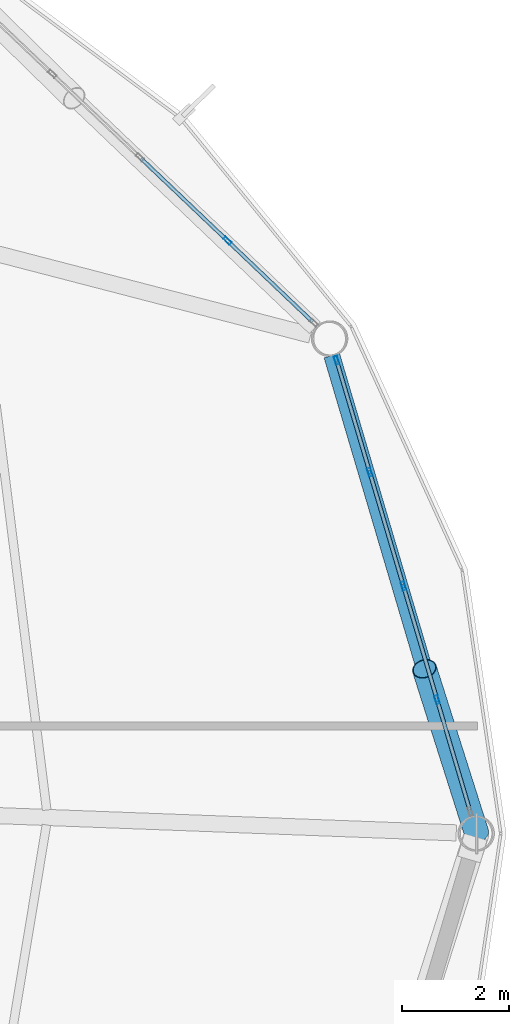
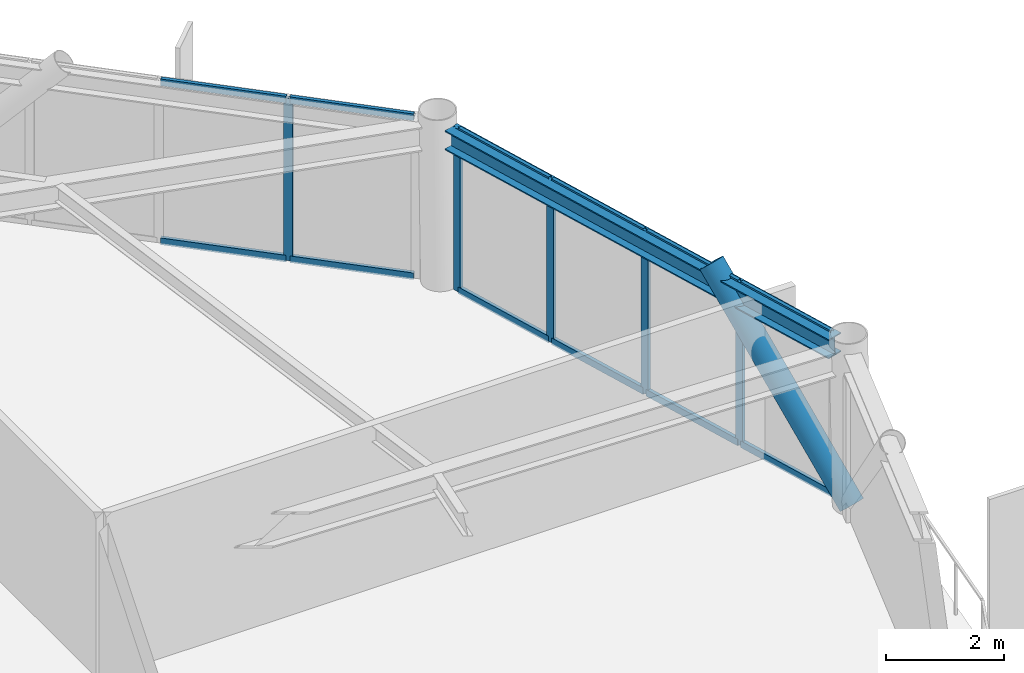
# One storey, part 16 of 28: 18 members, 1 beam, 2 elements without a shape of their own.
"""IFC4 building model written with IfcOpenShell, lengths in metres."""

from ifc_helpers import new_model, si_unit, direction, frame, origin, origin_2d, place, context, subcontext, project, spatial, hollow_rectangle, hollow_circle, i_section, extrude, material, layer, layer_set, material_profile, profile_set, type_object, element, aggregate, save


model = new_model("IFC4")

# Units and contexts
model_context = context("Model", 3, precision=1e-05, world=origin(), true_north=direction((0.0, 1.0)))
body_context = subcontext(model_context, "Body", "Model", "MODEL_VIEW")
ifc_project = project(units=[si_unit("LENGTHUNIT", "METRE"), si_unit("AREAUNIT", "SQUARE_METRE"), si_unit("VOLUMEUNIT", "CUBIC_METRE"), si_unit("PLANEANGLEUNIT", "RADIAN"), si_unit("MASSUNIT", "GRAM", prefix="KILO")], contexts=[model_context])

# Site, building, storey
site_placement = place(None, origin())
site = spatial("IfcSite", under=ifc_project, at=site_placement, CompositionType="ELEMENT")
building_placement = place(site_placement, origin())
building = spatial("IfcBuilding", under=site, at=building_placement, Name="Varnakorn Sky Granary", CompositionType="ELEMENT")
storey_placement = place(building_placement, frame((0.0, 0.0, 193.199951171875)))
storey = spatial("IfcBuildingStorey", under=building, at=storey_placement, Name="L48", CompositionType="ELEMENT", Elevation=193.199951171875)

# Beam
ifc_material_1 = material(Name="Steel S355JR", Category="steel")
ifc_material_profile_1 = material_profile(ifc_material_1, i_section(OverallWidth=0.300048828125, OverallDepth=0.39990234375, WebThickness=0.013427734375, FlangeThickness=0.02392578125, at=origin_2d()), Name="HE 400 B")
ifc_profile_set_1 = profile_set([ifc_material_profile_1], Name="Steel S355JR")
beam_type = type_object("IfcBeamType", Name="BM-SPD-Z4", PredefinedType="SPANDREL", material=ifc_profile_set_1)
beam_placement = place(storey_placement, frame((24.20458984375, 0.302001953125, 3.16015625), z_axis=(-0.283527622296, 0.958964069919, 0.0), x_axis=(-0.958964069919, -0.283527622296, 0.0)))
element("IfcBeam", 1, at=beam_placement, inside=storey, type_object=beam_type, Name="Perimeter Spandrel Ring Beam RB01 L48", PredefinedType="SPANDREL", context=body_context, shape_type="SweptSolid", body=[
    extrude(i_section(OverallWidth=0.300048828125, OverallDepth=0.39990234375, WebThickness=0.013427734375, FlangeThickness=0.02392578125, at=origin_2d()), origin(), (0.0, 0.0, 1.0), 8.969970703125),
])

# Curtain wall, members
ifc_material_2 = material(Name="Anodised Bronze Aluminium Alloy 6063-T6", Category="aluminium")
ifc_layer = layer(ifc_material_2, 0.169921875, Name="Anodised Bronze Aluminium Alloy 6063-T6")
ifc_layer_set = layer_set([ifc_layer], Name="Anodised Bronze Aluminium Alloy 6063-T6")
curtain_wall_type = type_object("IfcCurtainWallType", Name="CW-LAB-1", PredefinedType="USERDEFINED", material=ifc_layer_set)
curtain_wall_1_placement = place(storey_placement, origin())
curtain_wall_1 = element("IfcCurtainWall", 2, at=curtain_wall_1_placement, inside=storey, type_object=curtain_wall_type, Name="Unitised Curtain Wall CW5 CW-L48-B01", ObjectType="CURTAIN WALL", PredefinedType="USERDEFINED")
ifc_material_profile_2 = material_profile(ifc_material_2, hollow_rectangle(XDim=0.06494140625, YDim=0.159912109375, WallThickness=0.00341796875, at=origin_2d()), Name="ALU MULL 65x160")
ifc_profile_set_2 = profile_set([ifc_material_profile_2], Name="Anodised Bronze Aluminium Alloy 6063-T6")
member_type_1 = type_object("IfcMemberType", Name="CW-LAB-1-MULL", PredefinedType="MULLION", material=ifc_profile_set_2)
member_1_placement = place(storey_placement, frame((21.75, 8.81787109375, 0.0), z_axis=(0.0, 0.0, 1.0), x_axis=(0.958847747694, 0.283920757858, 0.0)))
member_1 = element("IfcMember", 3, at=member_1_placement, type_object=member_type_1, Name="CW5 mullion 1", PredefinedType="MULLION", context=body_context, shape_type="SweptSolid", body=[
    extrude(hollow_rectangle(XDim=0.06494140625, YDim=0.159912109375, WallThickness=0.00341796875, at=origin_2d()), origin(), (0.0, 0.0, 1.0), 3.360107421875),
])
member_2_placement = place(storey_placement, frame((22.3681640625, 6.730224609375, 0.0), z_axis=(0.0, 0.0, 1.0), x_axis=(0.958847747694, 0.283920757858, 0.0)))
member_2 = element("IfcMember", 4, at=member_2_placement, type_object=member_type_1, Name="CW5 mullion 2", PredefinedType="MULLION", context=body_context, shape_type="SweptSolid", body=[
    extrude(hollow_rectangle(XDim=0.06494140625, YDim=0.159912109375, WallThickness=0.00341796875, at=origin_2d()), origin(), (0.0, 0.0, 1.0), 3.360107421875),
])
member_3_placement = place(storey_placement, frame((22.99560546875, 4.611572265625, 0.0), z_axis=(0.0, 0.0, 1.0), x_axis=(0.958847747694, 0.283920757858, 0.0)))
member_3 = element("IfcMember", 5, at=member_3_placement, type_object=member_type_1, Name="CW5 mullion 3", PredefinedType="MULLION", context=body_context, shape_type="SweptSolid", body=[
    extrude(hollow_rectangle(XDim=0.06494140625, YDim=0.159912109375, WallThickness=0.00341796875, at=origin_2d()), origin(), (0.0, 0.0, 1.0), 3.360107421875),
])
member_4_placement = place(storey_placement, frame((23.623046875, 2.49267578125, 0.0), z_axis=(0.0, 0.0, 1.0), x_axis=(0.958847747694, 0.283920757858, 0.0)))
member_4 = element("IfcMember", 6, at=member_4_placement, type_object=member_type_1, Name="CW5 mullion 4", PredefinedType="MULLION", context=body_context, shape_type="SweptSolid", body=[
    extrude(hollow_rectangle(XDim=0.06494140625, YDim=0.159912109375, WallThickness=0.00341796875, at=origin_2d()), origin(), (0.0, 0.0, 1.0), 3.360107421875),
])

# Curtain wall, member
curtain_wall_2_placement = place(storey_placement, origin())
curtain_wall_2 = element("IfcCurtainWall", 7, at=curtain_wall_2_placement, inside=storey, type_object=curtain_wall_type, Name="Unitised Curtain Wall CW5 CW-L48-B02", ObjectType="CURTAIN WALL", PredefinedType="USERDEFINED")
member_5_placement = place(storey_placement, frame((19.7158203125, 11.04541015625, 0.0), z_axis=(0.0, 0.0, 1.0), x_axis=(0.689516343161, 0.724270123996, 0.0)))
member_5 = element("IfcMember", 8, at=member_5_placement, type_object=member_type_1, Name="CW5 mullion 4", PredefinedType="MULLION", context=body_context, shape_type="SweptSolid", body=[
    extrude(hollow_rectangle(XDim=0.06494140625, YDim=0.159912109375, WallThickness=0.00341796875, at=origin_2d()), origin(), (0.0, 0.0, 1.0), 3.360107421875),
])

# Member
ifc_material_profile_3 = material_profile(ifc_material_2, hollow_rectangle(XDim=0.070068359375, YDim=0.139892578125, WallThickness=0.00341796875, at=origin_2d()), Name="ALU TRAN 70x140")
ifc_profile_set_3 = profile_set([ifc_material_profile_3], Name="Anodised Bronze Aluminium Alloy 6063-T6")
member_type_2 = type_object("IfcMemberType", Name="CW-LAB-1-TRAN", PredefinedType="USERDEFINED", material=ifc_profile_set_3)
member_6_placement = place(storey_placement, frame((21.75927734375, 8.78662109375, 0.03515625), z_axis=(0.283899408526, -0.958854069105, 0.0), x_axis=(0.958854069105, 0.283899408526, 0.0)))
member_6 = element("IfcMember", 9, at=member_6_placement, type_object=member_type_2, Name="CW5 transom 1.1", ObjectType="TRANSOM", PredefinedType="USERDEFINED", context=body_context, shape_type="SweptSolid", body=[
    extrude(hollow_rectangle(XDim=0.070068359375, YDim=0.139892578125, WallThickness=0.00341796875, at=origin_2d()), origin(), (0.0, 0.0, 1.0), 2.112060546875),
])

member_7_placement = place(storey_placement, frame((21.75927734375, 8.78662109375, 3.324951171875), z_axis=(0.283899408526, -0.958854069105, 0.0), x_axis=(0.958854069105, 0.283899408526, 0.0)))
member_7 = element("IfcMember", 10, at=member_7_placement, type_object=member_type_2, Name="CW5 transom 1.2", ObjectType="TRANSOM", PredefinedType="USERDEFINED", context=body_context, shape_type="SweptSolid", body=[
    extrude(hollow_rectangle(XDim=0.070068359375, YDim=0.139892578125, WallThickness=0.00341796875, at=origin_2d()), origin(), (0.0, 0.0, 1.0), 2.112060546875),
])

member_8_placement = place(storey_placement, frame((22.37744140625, 6.698974609375, 0.03515625), z_axis=(0.283910032434, -0.958850923493, 0.0), x_axis=(0.958850923493, 0.283910032434, 0.0)))
member_8 = element("IfcMember", 11, at=member_8_placement, type_object=member_type_2, Name="CW5 transom 2.1", ObjectType="TRANSOM", PredefinedType="USERDEFINED", context=body_context, shape_type="SweptSolid", body=[
    extrude(hollow_rectangle(XDim=0.070068359375, YDim=0.139892578125, WallThickness=0.00341796875, at=origin_2d()), origin(), (0.0, 0.0, 1.0), 2.14453125),
])

member_9_placement = place(storey_placement, frame((22.37744140625, 6.698974609375, 3.324951171875), z_axis=(0.283910032434, -0.958850923493, 0.0), x_axis=(0.958850923493, 0.283910032434, 0.0)))
member_9 = element("IfcMember", 12, at=member_9_placement, type_object=member_type_2, Name="CW5 transom 2.2", ObjectType="TRANSOM", PredefinedType="USERDEFINED", context=body_context, shape_type="SweptSolid", body=[
    extrude(hollow_rectangle(XDim=0.070068359375, YDim=0.139892578125, WallThickness=0.00341796875, at=origin_2d()), origin(), (0.0, 0.0, 1.0), 2.14453125),
])

member_10_placement = place(storey_placement, frame((23.0048828125, 4.580322265625, 0.03515625), z_axis=(0.283910032434, -0.958850923493, 0.0), x_axis=(0.958850923493, 0.283910032434, 0.0)))
member_10 = element("IfcMember", 13, at=member_10_placement, type_object=member_type_2, Name="CW5 transom 3.1", ObjectType="TRANSOM", PredefinedType="USERDEFINED", context=body_context, shape_type="SweptSolid", body=[
    extrude(hollow_rectangle(XDim=0.070068359375, YDim=0.139892578125, WallThickness=0.00341796875, at=origin_2d()), origin(), (0.0, 0.0, 1.0), 2.14453125),
])

member_11_placement = place(storey_placement, frame((23.0048828125, 4.580322265625, 3.324951171875), z_axis=(0.283910032434, -0.958850923493, 0.0), x_axis=(0.958850923493, 0.283910032434, 0.0)))
member_11 = element("IfcMember", 14, at=member_11_placement, type_object=member_type_2, Name="CW5 transom 3.2", ObjectType="TRANSOM", PredefinedType="USERDEFINED", context=body_context, shape_type="SweptSolid", body=[
    extrude(hollow_rectangle(XDim=0.070068359375, YDim=0.139892578125, WallThickness=0.00341796875, at=origin_2d()), origin(), (0.0, 0.0, 1.0), 2.14453125),
])

member_12_placement = place(storey_placement, frame((23.632080078125, 2.461669921875, 0.03515625), z_axis=(0.283974207534, -0.958831919293, 0.0), x_axis=(0.958831919293, 0.283974207534, 0.0)))
member_12 = element("IfcMember", 15, at=member_12_placement, type_object=member_type_2, Name="CW5 transom 4.1", ObjectType="TRANSOM", PredefinedType="USERDEFINED", context=body_context, shape_type="SweptSolid", body=[
    extrude(hollow_rectangle(XDim=0.070068359375, YDim=0.139892578125, WallThickness=0.00341796875, at=origin_2d()), origin(), (0.0, 0.0, 1.0), 2.1123046875),
])

member_13_placement = place(storey_placement, frame((23.632080078125, 2.461669921875, 3.324951171875), z_axis=(0.283974207534, -0.958831919293, 0.0), x_axis=(0.958831919293, 0.283974207534, 0.0)))
member_13 = element("IfcMember", 16, at=member_13_placement, type_object=member_type_2, Name="CW5 transom 4.2", ObjectType="TRANSOM", PredefinedType="USERDEFINED", context=body_context, shape_type="SweptSolid", body=[
    extrude(hollow_rectangle(XDim=0.070068359375, YDim=0.139892578125, WallThickness=0.00341796875, at=origin_2d()), origin(), (0.0, 0.0, 1.0), 2.1123046875),
])

aggregate(curtain_wall_1, [member_1, member_2, member_3, member_4, member_6, member_7, member_8, member_9, member_10, member_11, member_12, member_13])

member_14_placement = place(storey_placement, frame((18.107666015625, 12.576416015625, 0.03515625), z_axis=(0.724299782659, -0.689485188268, 0.0), x_axis=(0.689485188268, 0.724299782659, 0.0)))
member_14 = element("IfcMember", 17, at=member_14_placement, type_object=member_type_2, Name="CW5 transom 3.1", ObjectType="TRANSOM", PredefinedType="USERDEFINED", context=body_context, shape_type="SweptSolid", body=[
    extrude(hollow_rectangle(XDim=0.070068359375, YDim=0.139892578125, WallThickness=0.00341796875, at=origin_2d()), origin(), (0.0, 0.0, 1.0), 2.18798828125),
])

member_15_placement = place(storey_placement, frame((18.107666015625, 12.576416015625, 3.324951171875), z_axis=(0.724299782659, -0.689485188268, 0.0), x_axis=(0.689485188268, 0.724299782659, 0.0)))
member_15 = element("IfcMember", 18, at=member_15_placement, type_object=member_type_2, Name="CW5 transom 3.2", ObjectType="TRANSOM", PredefinedType="USERDEFINED", context=body_context, shape_type="SweptSolid", body=[
    extrude(hollow_rectangle(XDim=0.070068359375, YDim=0.139892578125, WallThickness=0.00341796875, at=origin_2d()), origin(), (0.0, 0.0, 1.0), 2.18798828125),
])

member_16_placement = place(storey_placement, frame((19.7392578125, 11.02294921875, 0.03515625), z_axis=(0.724277972216, -0.689508099273, 0.0), x_axis=(0.689508099273, 0.724277972216, 0.0)))
member_16 = element("IfcMember", 19, at=member_16_placement, type_object=member_type_2, Name="CW5 transom 4.1", ObjectType="TRANSOM", PredefinedType="USERDEFINED", context=body_context, shape_type="SweptSolid", body=[
    extrude(hollow_rectangle(XDim=0.070068359375, YDim=0.139892578125, WallThickness=0.00341796875, at=origin_2d()), origin(), (0.0, 0.0, 1.0), 2.155517578125),
])

member_17_placement = place(storey_placement, frame((19.7392578125, 11.02294921875, 3.324951171875), z_axis=(0.724277972216, -0.689508099273, 0.0), x_axis=(0.689508099273, 0.724277972216, 0.0)))
member_17 = element("IfcMember", 20, at=member_17_placement, type_object=member_type_2, Name="CW5 transom 4.2", ObjectType="TRANSOM", PredefinedType="USERDEFINED", context=body_context, shape_type="SweptSolid", body=[
    extrude(hollow_rectangle(XDim=0.070068359375, YDim=0.139892578125, WallThickness=0.00341796875, at=origin_2d()), origin(), (0.0, 0.0, 1.0), 2.155517578125),
])

aggregate(curtain_wall_2, [member_5, member_14, member_15, member_16, member_17])

ifc_material_3 = material(Name="Steel S460M", Category="steel")
ifc_material_profile_4 = material_profile(ifc_material_3, hollow_circle(Radius=0.228515625, WallThickness=0.01611328125, at=origin_2d()), Name="CHS 457x16")
ifc_profile_set_4 = profile_set([ifc_material_profile_4], Name="Steel S460M")
member_type_3 = type_object("IfcMemberType", Name="MB-DIAG-T3", PredefinedType="BRACE", material=ifc_profile_set_4)
member_18_placement = place(storey_placement, frame((24.361083984375, 0.0, 0.0), z_axis=(-0.205205721442, 0.646261767178, 0.735007714362), x_axis=(-0.953105867653, -0.302637084717, 0.0)))
element("IfcMember", 21, at=member_18_placement, inside=storey, type_object=member_type_3, Name="Perimeter CHS Diagrid Brace DG01 L48", PredefinedType="BRACE", context=body_context, shape_type="SweptSolid", body=[
    extrude(hollow_circle(Radius=0.228515625, WallThickness=0.01611328125, at=origin_2d()), origin(), (0.0, 0.0, 1.0), 4.748291015625),
])

save(model, "model.ifc")
